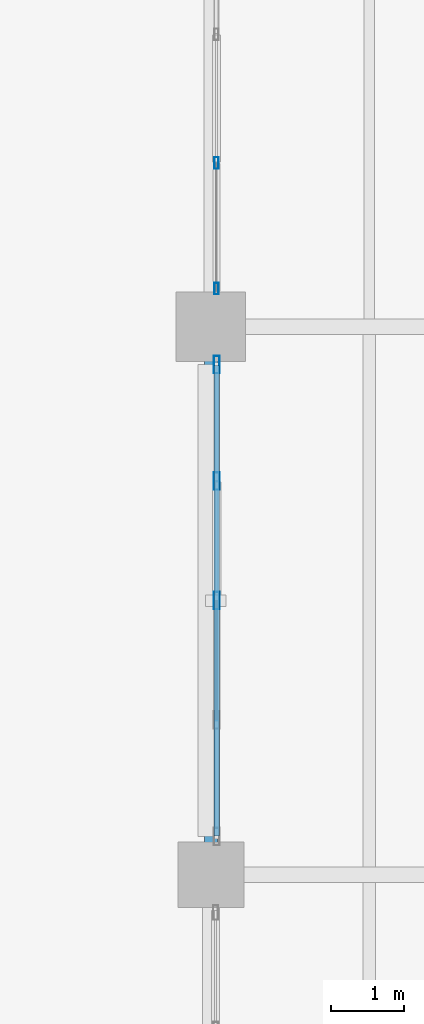
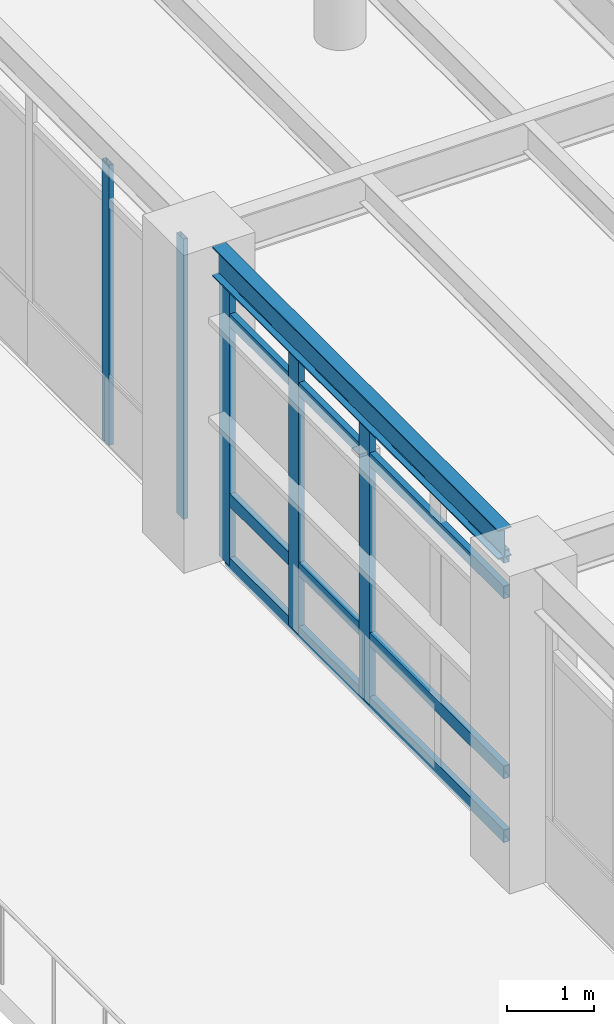
# One storey, part 30 of 200: 9 members, 1 beam, 2 elements without a shape of their own.
"""IFC4 building model written with IfcOpenShell, lengths in metres."""

from ifc_helpers import new_model, si_unit, direction, frame, origin, origin_2d, place, context, subcontext, project, spatial, hollow_rectangle, i_section, extrude, material, material_profile, profile_set, type_object, element, aggregate, save


model = new_model("IFC4")

# Units and contexts
model_context = context("Model", 3, precision=1e-05, world=origin(), true_north=direction((0.0, 1.0)))
body_context = subcontext(model_context, "Body", "Model", "MODEL_VIEW")
ifc_project = project(units=[si_unit("LENGTHUNIT", "METRE"), si_unit("AREAUNIT", "SQUARE_METRE"), si_unit("VOLUMEUNIT", "CUBIC_METRE"), si_unit("PLANEANGLEUNIT", "RADIAN"), si_unit("MASSUNIT", "GRAM", prefix="KILO"), si_unit("THERMODYNAMICTEMPERATUREUNIT", "KELVIN"), si_unit("POWERUNIT", "WATT")], contexts=[model_context])

# Site, building, storey
site_placement = place(None, origin())
site = spatial("IfcSite", under=ifc_project, at=site_placement, CompositionType="ELEMENT")
building_placement = place(site_placement, origin())
building = spatial("IfcBuilding", under=site, at=building_placement, Name="Tepalcoro Natatorium and Aquatics Centre", CompositionType="ELEMENT")
storey_placement = place(building_placement, frame((0.0, 0.0, 5.39990234375)))
storey = spatial("IfcBuildingStorey", under=building, at=storey_placement, Name="L01", CompositionType="ELEMENT", Elevation=5.39990234375)

# Curtain wall, members
ifc_material_1 = material(Name="Bronze-Anodised Extruded Aluminium Alloy EN AW-6063 T6", Category="aluminium")
curtain_wall_type_1 = type_object("IfcCurtainWallType", Name="CW_LEAN_T2_NS", PredefinedType="USERDEFINED", material=ifc_material_1)
curtain_wall_1_placement = place(storey_placement, origin())
curtain_wall_1 = element("IfcCurtainWall", 1, at=curtain_wall_1_placement, inside=storey, type_object=curtain_wall_type_1, Name="V1 L01 W Unitised Curtain Wall Bay 4", ObjectType="FACETED SOLAR GLAZING", PredefinedType="USERDEFINED")
ifc_material_profile_1 = material_profile(ifc_material_1, hollow_rectangle(XDim=0.06005859375, YDim=0.159912109375, WallThickness=0.00390625, at=origin_2d()), Name="AL60X160X4")
ifc_profile_set_1 = profile_set([ifc_material_profile_1], Name="Bronze-Anodised Extruded Aluminium Alloy EN AW-6063 T6")
member_type_1 = type_object("IfcMemberType", Name="CW_MUL_60x160", PredefinedType="MULLION", material=ifc_profile_set_1)
member_1_placement = place(storey_placement, frame((46.576171875, 28.52001953125, 0.02001953125), z_axis=(0.0, 0.0, 1.0), x_axis=(1.0, 0.0, 0.0)))
member_1 = element("IfcMember", 2, at=member_1_placement, type_object=member_type_1, Name="CW_LEAN_T2_NS Curtain Wall Mullion", PredefinedType="MULLION", context=body_context, shape_type="SweptSolid", body=[
    extrude(hollow_rectangle(XDim=0.06005859375, YDim=0.159912109375, WallThickness=0.00390625, at=origin_2d()), origin(), (0.0, 0.0, 1.0), 3.9501953125),
])
member_2_placement = place(storey_placement, frame((46.576171875, 30.239990234375, 0.02001953125), z_axis=(0.0, 0.0, 1.0), x_axis=(1.0, 0.0, 0.0)))
member_2 = element("IfcMember", 3, at=member_2_placement, type_object=member_type_1, Name="CW_LEAN_T2_NS Curtain Wall Mullion", PredefinedType="MULLION", context=body_context, shape_type="SweptSolid", body=[
    extrude(hollow_rectangle(XDim=0.06005859375, YDim=0.159912109375, WallThickness=0.00390625, at=origin_2d()), origin(), (0.0, 0.0, 1.0), 3.9501953125),
])
aggregate(curtain_wall_1, [member_1, member_2])

curtain_wall_type_2 = type_object("IfcCurtainWallType", Name="CW_LEAN_T1_EW", PredefinedType="USERDEFINED", material=ifc_material_1)
curtain_wall_2_placement = place(storey_placement, origin())
curtain_wall_2 = element("IfcCurtainWall", 4, at=curtain_wall_2_placement, inside=storey, type_object=curtain_wall_type_2, Name="V1 L01 W Unitised Curtain Wall Bay 3", ObjectType="FACETED SOLAR GLAZING", PredefinedType="USERDEFINED")
ifc_material_profile_2 = material_profile(ifc_material_1, hollow_rectangle(XDim=0.080078125, YDim=0.239990234375, WallThickness=0.0048828125, at=origin_2d()), Name="AL80X240X5")
ifc_profile_set_2 = profile_set([ifc_material_profile_2], Name="Bronze-Anodised Extruded Aluminium Alloy EN AW-6063 T6")
member_type_2 = type_object("IfcMemberType", Name="CW_MUL_80x240", PredefinedType="MULLION", material=ifc_profile_set_2)
member_3_placement = place(storey_placement, frame((46.580078125, 24.25, 0.02001953125), z_axis=(0.0, 0.0, 1.0), x_axis=(1.0, 0.0, 0.0)))
member_3 = element("IfcMember", 5, at=member_3_placement, type_object=member_type_2, Name="CW_LEAN_T1_EW Curtain Wall Mullion", PredefinedType="MULLION", context=body_context, shape_type="SweptSolid", body=[
    extrude(hollow_rectangle(XDim=0.080078125, YDim=0.239990234375, WallThickness=0.0048828125, at=origin_2d()), origin(), (0.0, 0.0, 1.0), 3.9970703125),
])
member_4_placement = place(storey_placement, frame((46.580078125, 25.885009765625, 0.02001953125), z_axis=(0.0, 0.0, 1.0), x_axis=(1.0, 0.0, 0.0)))
member_4 = element("IfcMember", 6, at=member_4_placement, type_object=member_type_2, Name="CW_LEAN_T1_EW Curtain Wall Mullion", PredefinedType="MULLION", context=body_context, shape_type="SweptSolid", body=[
    extrude(hollow_rectangle(XDim=0.080078125, YDim=0.239990234375, WallThickness=0.0048828125, at=origin_2d()), origin(), (0.0, 0.0, 1.0), 3.9970703125),
])
member_5_placement = place(storey_placement, frame((46.580078125, 27.47998046875, 0.02001953125), z_axis=(0.0, 0.0, 1.0), x_axis=(1.0, 0.0, 0.0)))
member_5 = element("IfcMember", 7, at=member_5_placement, type_object=member_type_2, Name="CW_LEAN_T1_EW Curtain Wall Mullion", PredefinedType="MULLION", context=body_context, shape_type="SweptSolid", body=[
    extrude(hollow_rectangle(XDim=0.080078125, YDim=0.239990234375, WallThickness=0.0048828125, at=origin_2d()), origin(), (0.0, 0.0, 1.0), 3.9970703125),
])
ifc_material_profile_3 = material_profile(ifc_material_1, hollow_rectangle(XDim=0.080078125, YDim=0.179931640625, WallThickness=0.0048828125, at=origin_2d()), Name="AL80X180X5")
ifc_profile_set_3 = profile_set([ifc_material_profile_3], Name="Bronze-Anodised Extruded Aluminium Alloy EN AW-6063 T6")
member_type_3 = type_object("IfcMemberType", Name="CW_TRN_80x180", PredefinedType="USERDEFINED", material=ifc_profile_set_3)
member_6_placement = place(storey_placement, frame((46.580078125, 21.030029296875, 0.050048828125), z_axis=(0.0, 1.0, 0.0), x_axis=(-1.0, 0.0, 0.0)))
member_6 = element("IfcMember", 8, at=member_6_placement, type_object=member_type_3, Name="CW_LEAN_T1_EW Curtain Wall Transom", ObjectType="TRANSOM", PredefinedType="USERDEFINED", context=body_context, shape_type="SweptSolid", body=[
    extrude(hollow_rectangle(XDim=0.080078125, YDim=0.179931640625, WallThickness=0.0048828125, at=origin_2d()), origin(), (0.0, 0.0, 1.0), 6.43994140625),
])
member_7_placement = place(storey_placement, frame((46.580078125, 21.030029296875, 0.9501953125), z_axis=(0.0, 1.0, 0.0), x_axis=(-1.0, 0.0, 0.0)))
member_7 = element("IfcMember", 9, at=member_7_placement, type_object=member_type_3, Name="CW_LEAN_T1_EW Curtain Wall Transom", ObjectType="TRANSOM", PredefinedType="USERDEFINED", context=body_context, shape_type="SweptSolid", body=[
    extrude(hollow_rectangle(XDim=0.080078125, YDim=0.179931640625, WallThickness=0.0048828125, at=origin_2d()), origin(), (0.0, 0.0, 1.0), 6.43994140625),
])
member_8_placement = place(storey_placement, frame((46.580078125, 21.030029296875, 3.487060546875), z_axis=(0.0, 1.0, 0.0), x_axis=(-1.0, 0.0, 0.0)))
member_8 = element("IfcMember", 10, at=member_8_placement, type_object=member_type_3, Name="CW_LEAN_T1_EW Curtain Wall Transom", ObjectType="TRANSOM", PredefinedType="USERDEFINED", context=body_context, shape_type="SweptSolid", body=[
    extrude(hollow_rectangle(XDim=0.080078125, YDim=0.179931640625, WallThickness=0.0048828125, at=origin_2d()), origin(), (0.0, 0.0, 1.0), 6.43994140625),
])
member_9_placement = place(storey_placement, frame((46.580078125, 21.030029296875, 3.987060546875), z_axis=(0.0, 1.0, 0.0), x_axis=(-1.0, 0.0, 0.0)))
member_9 = element("IfcMember", 11, at=member_9_placement, type_object=member_type_3, Name="CW_LEAN_T1_EW Curtain Wall Transom", ObjectType="TRANSOM", PredefinedType="USERDEFINED", context=body_context, shape_type="SweptSolid", body=[
    extrude(hollow_rectangle(XDim=0.080078125, YDim=0.179931640625, WallThickness=0.0048828125, at=origin_2d()), origin(), (0.0, 0.0, 1.0), 6.43994140625),
])
aggregate(curtain_wall_2, [member_3, member_4, member_5, member_6, member_7, member_8, member_9])

# Beam
ifc_material_2 = material(Name="Steel ASTM A992 Grade 50 (Fy 345 MPa)", Category="steel")
ifc_material_profile_4 = material_profile(ifc_material_2, i_section(OverallWidth=0.179931640625, OverallDepth=0.4130859375, WebThickness=0.010009765625, FlangeThickness=0.01611328125, FilletRadius=0.013916015625, at=origin_2d()), Name="W16X50")
ifc_profile_set_4 = profile_set([ifc_material_profile_4], Name="Steel ASTM A992 Grade 50 (Fy 345 MPa)")
beam_type = type_object("IfcBeamType", Name="SP_HSS300x200x12", PredefinedType="SPANDREL", material=ifc_profile_set_4)
beam_placement = place(storey_placement, frame((46.5, 20.93505859375, 4.258544921875), z_axis=(0.0, 1.0, 0.0), x_axis=(-1.0, 0.0, 0.0)))
element("IfcBeam", 12, at=beam_placement, inside=storey, type_object=beam_type, Name="V1 L01 Grid Girder Y", PredefinedType="SPANDREL", context=body_context, shape_type="SweptSolid", body=[
    extrude(i_section(OverallWidth=0.179931640625, OverallDepth=0.4130859375, WebThickness=0.010009765625, FlangeThickness=0.01611328125, FilletRadius=0.013916015625, at=origin_2d()), origin(), (0.0, 0.0, 1.0), 6.60498046875),
])

save(model, "model.ifc")
